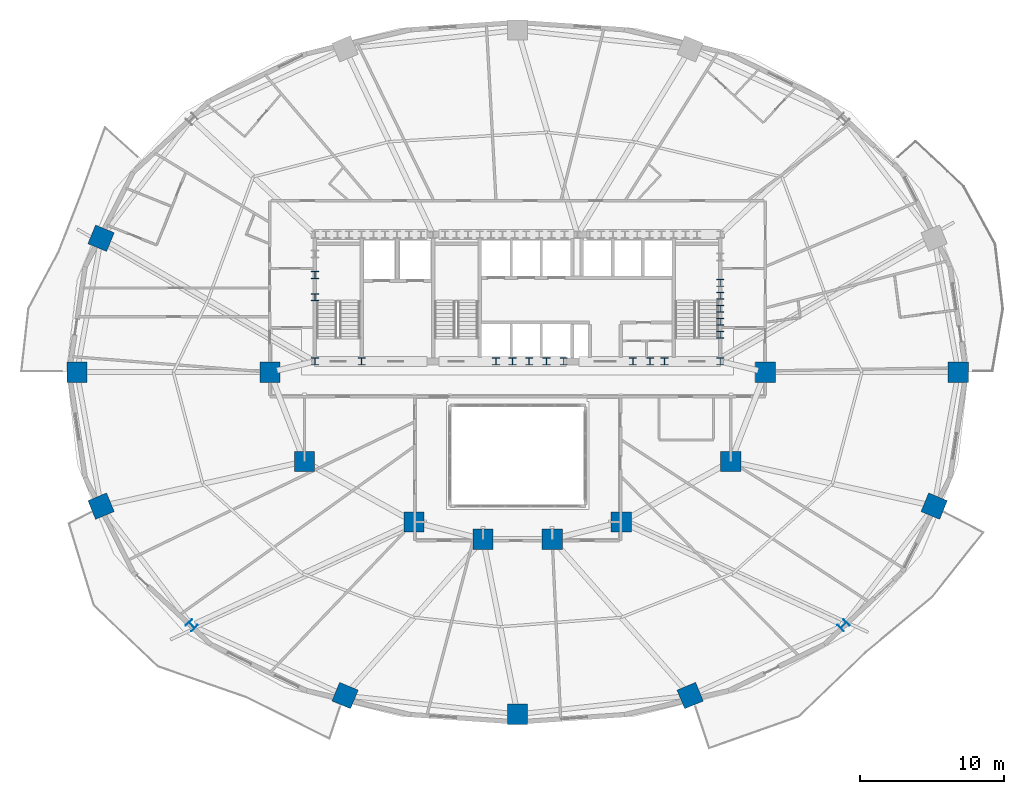
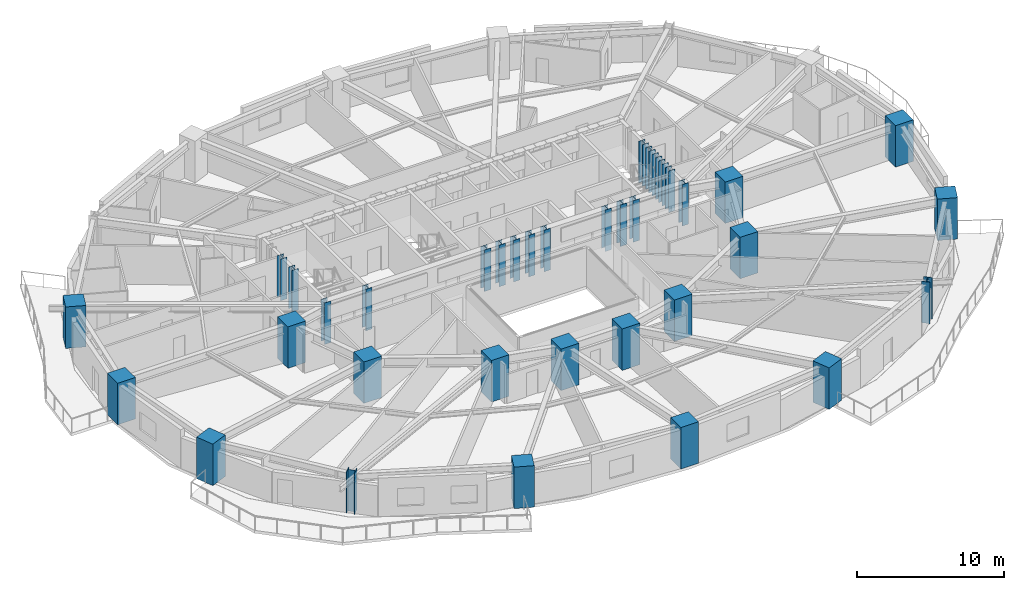
# One storey, part 1 of 17: 36 columns.
"""IFC4 building model written with IfcOpenShell, lengths in metres."""

import ifcopenshell
import ifcopenshell.guid

model = None  # the IFC model being written
_history = None  # IfcOwnerHistory: only IFC2X3 demands one
_inside = {}  # id of a spatial element -> (the spatial element, [elements in it])
_under = {}  # id of a project, library or spatial element -> (it, [spatial elements below it])
_declared = {}  # id of a project -> (the project, [libraries it declares])
_typed = {}  # id of a type object -> (the type object, [elements of that type])
_made_of = {}  # id of a material, layer set ... -> (it, [elements and type objects made of it])


def new_model(schema):
    """Start an empty IFC model of exactly this schema.

    Asked for "IFC4X3", IfcOpenShell would pick the latest addendum, in which some entities
    have other attributes; the version numbers below select the first issue.
    IFC2X3 requires an IfcOwnerHistory on every rooted entity: one is made here for all.
    """
    global model, _history
    if schema == "IFC4X3":
        model = ifcopenshell.file(schema_version=(4, 3, 0, 0))
    else:
        model = ifcopenshell.file(schema=schema)
    _inside.clear()
    _under.clear()
    _declared.clear()
    _typed.clear()
    _made_of.clear()
    _history = None
    if model.schema == "IFC2X3":
        org = make("IfcOrganization", Name="unknown")
        user = make(
            "IfcPersonAndOrganization",
            ThePerson=make("IfcPerson", FamilyName="unknown"),
            TheOrganization=org,
        )
        app = make(
            "IfcApplication",
            ApplicationDeveloper=org,
            Version="unknown",
            ApplicationFullName="unknown",
            ApplicationIdentifier="unknown",
        )
        _history = make(
            "IfcOwnerHistory",
            OwningUser=user,
            OwningApplication=app,
            ChangeAction="ADDED",
            CreationDate=0,
        )
    return model


def make(cls, **values):
    """One entity of the class cls with the attributes given. An attribute that is None is left unset."""
    return model.create_entity(
        cls, **{name: value for name, value in values.items() if value is not None}
    )


def rooted(cls, **values):
    """An entity with a GlobalId (a new one), such as an element, a storey or a relation."""
    return make(cls, GlobalId=ifcopenshell.guid.new(), OwnerHistory=_history, **values)


def si_unit(unit_type, name, prefix=None):
    """IfcSIUnit, for example si_unit("LENGTHUNIT", "METRE", prefix="MILLI")."""
    return make("IfcSIUnit", UnitType=unit_type, Prefix=prefix, Name=name)


def assignment(units):
    """IfcUnitAssignment: the units of a project."""
    return None if units is None else make("IfcUnitAssignment", Units=units)


def point(xyz):
    """IfcCartesianPoint."""
    return None if xyz is None else make("IfcCartesianPoint", Coordinates=xyz)


def direction(xyz):
    """IfcDirection."""
    return None if xyz is None else make("IfcDirection", DirectionRatios=xyz)


def frame(location, z_axis=None, x_axis=None):
    """IfcAxis2Placement3D, a coordinate frame: its origin and axes. An axis left out is left unset."""
    return make(
        "IfcAxis2Placement3D",
        Location=point(location),
        Axis=direction(z_axis),
        RefDirection=direction(x_axis),
    )


def frame_2d(location, x_axis=None):
    """IfcAxis2Placement2D, a coordinate frame in the plane: its origin and x axis."""
    return make(
        "IfcAxis2Placement2D", Location=point(location), RefDirection=direction(x_axis)
    )


def origin():
    """The frame at (0, 0, 0) with its axes left unset."""
    return frame((0.0, 0.0, 0.0))


def origin_2d():
    """The frame at (0, 0) in the plane with its x axis left unset."""
    return frame_2d((0.0, 0.0))


def place(relative_to, where):
    """IfcLocalPlacement: puts the frame where relative to a parent placement (None: the world)."""
    return make(
        "IfcLocalPlacement", PlacementRelTo=relative_to, RelativePlacement=where
    )


def context(
    kind, dimensions, precision=None, world=None, true_north=None, identifier=None
):
    """IfcGeometricRepresentationContext, for example the 3D "Model" context."""
    return make(
        "IfcGeometricRepresentationContext",
        ContextIdentifier=identifier,
        ContextType=kind,
        CoordinateSpaceDimension=dimensions,
        Precision=precision,
        WorldCoordinateSystem=world,
        TrueNorth=true_north,
    )


def subcontext(parent, identifier, kind, view, scale=None):
    """IfcGeometricRepresentationSubContext, for example "Body" below "Model"."""
    return make(
        "IfcGeometricRepresentationSubContext",
        ContextIdentifier=identifier,
        ContextType=kind,
        ParentContext=parent,
        TargetScale=scale,
        TargetView=view,
    )


def project(units=None, contexts=None):
    """IfcProject with its units and contexts."""
    return rooted(
        "IfcProject",
        Name="project",
        RepresentationContexts=contexts,
        UnitsInContext=assignment(units),
    )


def spatial(cls, under=None, at=None, **own):
    """A site, building, storey or space (cls), placed at a placement, below another one or the project."""
    s = rooted(cls, ObjectPlacement=at, **own)
    if under is not None:
        _under.setdefault(under.id(), (under, []))[1].append(s)
    return s


def profile(cls, at=None, kind="AREA", **sizes):
    """A parametric profile (cls). Its sizes go by their IFC names, for example OverallWidth=200.0."""
    return make(cls, ProfileType=kind, Position=at, **sizes)


def rectangle(**sizes):
    """IfcRectangleProfileDef."""
    return profile("IfcRectangleProfileDef", **sizes)


def i_section(**sizes):
    """IfcIShapeProfileDef."""
    return profile("IfcIShapeProfileDef", **sizes)


def extrude(swept, where, along, depth):
    """IfcExtrudedAreaSolid: the profile swept, set in the frame where, extruded along a direction by depth."""
    return make(
        "IfcExtrudedAreaSolid",
        SweptArea=swept,
        Position=where,
        ExtrudedDirection=direction(along),
        Depth=depth,
    )


def shape(context_of_items, identifier, shape_type, items):
    """IfcShapeRepresentation: the items that make up one representation, for example the "Body"."""
    return make(
        "IfcShapeRepresentation",
        ContextOfItems=context_of_items,
        RepresentationIdentifier=identifier,
        RepresentationType=shape_type,
        Items=items,
    )


def material(Name=None, Category=None):
    """IfcMaterial."""
    return make("IfcMaterial", Name=Name, Category=Category)


def material_profile(
    of_material, cross_section, Name=None, Category=None, Priority=None
):
    """IfcMaterialProfile: a cross section and its material."""
    return make(
        "IfcMaterialProfile",
        Name=Name,
        Material=of_material,
        Profile=cross_section,
        Priority=Priority,
        Category=Category,
    )


def profile_set(profiles, Name=None, composite=None):
    """IfcMaterialProfileSet."""
    return make(
        "IfcMaterialProfileSet",
        Name=Name,
        MaterialProfiles=profiles,
        CompositeProfile=composite,
    )


def made_of(thing, what):
    """Note that an element or type object is made of a material, layer set ...; save() writes the relation."""
    if what is not None:
        _made_of.setdefault(what.id(), (what, []))[1].append(thing)
    return thing


def type_object(cls, material=None, **own):
    """A type object (cls), such as IfcWallType, which elements share."""
    return made_of(rooted(cls, **own), material)


def element(
    cls,
    number,
    at=None,
    inside=None,
    cuts=None,
    type_object=None,
    material=None,
    context=None,
    identifier="Body",
    shape_type=None,
    held_by="IfcProductDefinitionShape",
    body=None,
    shapes=None,
    **own,
):
    """One element of the class cls, such as IfcWall. Its Tag is "e" and its number.

    at: its placement. inside: the storey or other place that contains it. cuts: it is an
    opening in that element (IfcRelVoidsElement). A single representation is given by context,
    identifier, shape_type and body (its items); several are given by shapes. held_by: the class
    of the entity that holds the representations. save() writes the other relations.
    """
    e = rooted(cls, Tag="e%d" % number, ObjectPlacement=at, **own)
    if body is not None:
        shapes = [shape(context, identifier, shape_type, body)]
    if shapes is not None:
        e.Representation = make(held_by, Representations=shapes)
    if inside is not None:
        _inside.setdefault(inside.id(), (inside, []))[1].append(e)
    if cuts is not None:
        rooted(
            "IfcRelVoidsElement", RelatingBuildingElement=cuts, RelatedOpeningElement=e
        )
    if type_object is not None:
        _typed.setdefault(type_object.id(), (type_object, []))[1].append(e)
    return made_of(e, material)


def aggregate(whole, parts):
    """IfcRelAggregates: a whole, such as a stair, and the parts it consists of."""
    return rooted("IfcRelAggregates", RelatingObject=whole, RelatedObjects=parts)


def save(model, path):
    """Write the relations noted so far, then the file.

    IfcRelAggregates (storeys below a building ...), IfcRelContainedInSpatialStructure (elements
    in a storey), IfcRelDefinesByType, IfcRelAssociatesMaterial and IfcRelDeclares: one each for
    every whole, place, type object, material and project.
    """
    for whole, parts in _under.values():
        aggregate(whole, parts)
    for where, things in _inside.values():
        rooted(
            "IfcRelContainedInSpatialStructure",
            RelatedElements=things,
            RelatingStructure=where,
        )
    for kind, things in _typed.values():
        rooted("IfcRelDefinesByType", RelatedObjects=things, RelatingType=kind)
    for what, things in _made_of.values():
        rooted("IfcRelAssociatesMaterial", RelatedObjects=things, RelatingMaterial=what)
    for by, libraries in _declared.values():
        rooted("IfcRelDeclares", RelatingContext=by, RelatedDefinitions=libraries)
    model.write(path)


model = new_model("IFC4")

# Units and contexts
model_context = context("Model", 3, precision=1e-05, world=origin(), true_north=direction((0.0, 1.0)))
body_context = subcontext(model_context, "Body", "Model", "MODEL_VIEW")
ifc_project = project(units=[si_unit("LENGTHUNIT", "METRE"), si_unit("AREAUNIT", "SQUARE_METRE"), si_unit("VOLUMEUNIT", "CUBIC_METRE"), si_unit("PLANEANGLEUNIT", "RADIAN"), si_unit("MASSUNIT", "GRAM", prefix="KILO")], contexts=[model_context])

# Site, building, storey
site_placement = place(None, origin())
site = spatial("IfcSite", under=ifc_project, at=site_placement, CompositionType="ELEMENT")
building_placement = place(site_placement, origin())
building = spatial("IfcBuilding", under=site, at=building_placement, Name="Haldorwick Loom Tower", CompositionType="ELEMENT")
storey_placement = place(building_placement, frame((0.0, 0.0, 37.800048828125)))
storey = spatial("IfcBuildingStorey", under=building, at=storey_placement, Name="L09", CompositionType="ELEMENT", Elevation=37.800048828125)

# Columns
ifc_material_1 = material(Name="Concrete C60 (60 MPa)", Category="concrete")
ifc_material_profile_1 = material_profile(ifc_material_1, rectangle(XDim=1.39990234375, YDim=1.39990234375, at=origin_2d()), Name="RC1400X1400", Category="concrete")
ifc_profile_set_1 = profile_set([ifc_material_profile_1], Name="Concrete C60 (60 MPa)")
column_type_1 = type_object("IfcColumnType", Name="STR-COL-MEGA1400", PredefinedType="COLUMN", material=ifc_profile_set_1)
for number, where, z_axis, x_axis, name in (
    (1, (53.199951171875, 26.0, 0.0), (0.0, 0.0, 1.0), (1.0, 0.0, 0.0), "L09 Inner Column IC-01"),
    (2, (50.800048828125, 19.800048828125, 0.0), (0.0, 0.0, 1.0), (1.0, 0.0, 0.0), "L09 Inner Column IC-02"),
    (3, (43.199951171875, 15.60009765625, 0.0), (0.0, 0.0, 1.0), (1.0, 0.0, 0.0), "L09 Inner Column IC-03"),
    (4, (38.39990234375, 14.39990234375, 0.0), (0.0, 0.0, 1.0), (1.0, 0.0, 0.0), "L09 Inner Column IC-04"),
    (5, (33.60009765625, 14.39990234375, 0.0), (0.0, 0.0, 1.0), (1.0, 0.0, 0.0), "L09 Inner Column IC-05"),
    (6, (28.800048828125, 15.60009765625, 0.0), (0.0, 0.0, 1.0), (1.0, 0.0, 0.0), "L09 Inner Column IC-06"),
    (7, (21.199951171875, 19.800048828125, 0.0), (0.0, 0.0, 1.0), (1.0, 0.0, 0.0), "L09 Inner Column IC-07"),
    (8, (18.800048828125, 26.0, 0.0), (0.0, 0.0, 1.0), (1.0, 0.0, 0.0), "L09 Inner Column IC-08"),
):
    element("IfcColumn", number, at=place(storey_placement, frame(where, z_axis=z_axis, x_axis=x_axis)), inside=storey, type_object=column_type_1, Name=name, PredefinedType="COLUMN", context=body_context, shape_type="SweptSolid", body=[
        extrude(rectangle(XDim=1.39990234375, YDim=1.39990234375, at=origin_2d()), origin(), (0.0, 0.0, 1.0), 3.449951171875),
    ])
ifc_material_profile_2 = material_profile(ifc_material_1, rectangle(XDim=1.39990234375, YDim=1.39990234375, at=origin_2d()), Name="RC1400X1400", Category="concrete")
ifc_profile_set_2 = profile_set([ifc_material_profile_2], Name="Concrete C60 (60 MPa)")
column_type_2 = type_object("IfcColumnType", Name="STR-COL-RC1400", PredefinedType="PILASTER", material=ifc_profile_set_2)
for number, where, z_axis, x_axis, name in (
    (9, (66.595947265625, 26.0, 0.0), (0.0, 0.0, 1.0), (1.0, 0.0, 0.0), "L09 Perimeter Pier Column P01"),
    (10, (7.08251953125, 35.29931640625, 0.0), (0.0, 0.0, 1.0), (-0.923879532511, 0.382683432365, 0.0), "L09 Perimeter Pier Column P08"),
    (11, (5.404052734375, 26.0, 0.0), (0.0, 0.0, 1.0), (-1.0, 0.0, 0.0), "L09 Perimeter Pier Column P09"),
    (12, (7.08251953125, 16.70068359375, 0.0), (0.0, 0.0, 1.0), (-0.923879532511, -0.382683432365, 0.0), "L09 Perimeter Pier Column P10"),
    (13, (24.02197265625, 3.5498046875, 0.0), (0.0, 0.0, 1.0), (-0.382683432365, -0.923879532511, 0.0), "L09 Perimeter Pier Column P12"),
    (14, (36.0, 2.25, 0.0), (0.0, 0.0, 1.0), (0.0, -1.0, 0.0), "L09 Perimeter Pier Column P13"),
    (15, (47.97802734375, 3.5498046875, 0.0), (0.0, 0.0, 1.0), (0.382683432365, -0.923879532511, 0.0), "L09 Perimeter Pier Column P14"),
    (16, (64.91748046875, 16.70068359375, 0.0), (0.0, 0.0, 1.0), (0.923879532511, -0.382683432365, 0.0), "L09 Perimeter Pier Column P16"),
):
    element("IfcColumn", number, at=place(storey_placement, frame(where, z_axis=z_axis, x_axis=x_axis)), inside=storey, type_object=column_type_2, Name=name, PredefinedType="PILASTER", context=body_context, shape_type="SweptSolid", body=[
        extrude(rectangle(XDim=1.39990234375, YDim=1.39990234375, at=origin_2d()), origin(), (0.0, 0.0, 1.0), 3.449951171875),
    ])
ifc_material_2 = material(Name="Steel CSA G40.21 350WT", Category="steel")
ifc_material_profile_3 = material_profile(ifc_material_2, i_section(OverallWidth=0.5, OverallDepth=0.5, WebThickness=0.02197265625, FlangeThickness=0.031982421875, at=origin_2d()), Name="WWF500X500", Category="steel")
ifc_profile_set_3 = profile_set([ifc_material_profile_3], Name="Steel CSA G40.21 350WT")
column_type_3 = type_object("IfcColumnType", Name="STR-COL-WWF500", PredefinedType="COLUMN", material=ifc_profile_set_3)
for number, where, z_axis, x_axis, name in (
    (17, (21.929931640625, 26.75, 0.0), (0.0, 0.0, 1.0), (1.0, 0.0, 0.0), "L09 Core Pilaster CB-19"),
    (18, (25.169921875, 26.75, 0.0), (0.0, 0.0, 1.0), (1.0, 0.0, 0.0), "L09 Core Pilaster CB-20"),
    (19, (34.5, 26.75, 0.0), (0.0, 0.0, 1.0), (1.0, 0.0, 0.0), "L09 Core Pilaster CB-21"),
    (20, (36.800048828125, 26.75, 0.0), (0.0, 0.0, 1.0), (1.0, 0.0, 0.0), "L09 Core Pilaster CB-22"),
    (21, (39.199951171875, 26.75, 0.0), (0.0, 0.0, 1.0), (1.0, 0.0, 0.0), "L09 Core Pilaster CB-23"),
    (22, (45.199951171875, 26.75, 0.0), (0.0, 0.0, 1.0), (1.0, 0.0, 0.0), "L09 Core Pilaster CB-24"),
    (23, (50.070068359375, 26.75, 0.0), (0.0, 0.0, 1.0), (1.0, 0.0, 0.0), "L09 Core Pilaster CB-25"),
    (24, (21.929931640625, 31.199951171875, 0.0), (0.0, 0.0, 1.0), (1.0, 0.0, 0.0), "L09 Core Pilaster CB-26"),
    (25, (21.929931640625, 32.75, 0.0), (0.0, 0.0, 1.0), (1.0, 0.0, 0.0), "L09 Core Pilaster CB-27"),
    (26, (50.070068359375, 28.60009765625, 0.0), (0.0, 0.0, 1.0), (1.0, 0.0, 0.0), "L09 Core Pilaster CB-29"),
    (27, (50.070068359375, 30.39990234375, 0.0), (0.0, 0.0, 1.0), (1.0, 0.0, 0.0), "L09 Core Pilaster CB-30"),
    (28, (50.070068359375, 32.199951171875, 0.0), (0.0, 0.0, 1.0), (1.0, 0.0, 0.0), "L09 Core Pilaster CB-31"),
    (29, (50.070068359375, 29.5, 0.0), (0.0, 0.0, 1.0), (1.0, 0.0, 0.0), "L09 Core Pilaster CB-49"),
    (30, (50.070068359375, 31.300048828125, 0.0), (0.0, 0.0, 1.0), (1.0, 0.0, 0.0), "L09 Core Pilaster CB-50"),
    (31, (35.64990234375, 26.75, 0.0), (0.0, 0.0, 1.0), (1.0, 0.0, 0.0), "L09 Core Pilaster CB-51"),
    (32, (38.0, 26.75, 0.0), (0.0, 0.0, 1.0), (1.0, 0.0, 0.0), "L09 Core Pilaster CB-52"),
    (33, (44.0, 26.75, 0.0), (0.0, 0.0, 1.0), (1.0, 0.0, 0.0), "L09 Core Pilaster CB-53"),
    (34, (46.199951171875, 26.75, 0.0), (0.0, 0.0, 1.0), (1.0, 0.0, 0.0), "L09 Core Pilaster CB-54"),
):
    element("IfcColumn", number, at=place(storey_placement, frame(where, z_axis=z_axis, x_axis=x_axis)), inside=storey, type_object=column_type_3, Name=name, PredefinedType="COLUMN", context=body_context, shape_type="SweptSolid", body=[
        extrude(i_section(OverallWidth=0.5, OverallDepth=0.5, WebThickness=0.02197265625, FlangeThickness=0.031982421875, at=origin_2d()), origin(), (0.0, 0.0, 1.0), 3.449951171875),
    ])
ifc_material_profile_4 = material_profile(ifc_material_2, i_section(OverallWidth=0.60009765625, OverallDepth=0.60009765625, WebThickness=0.02490234375, FlangeThickness=0.035888671875, at=origin_2d()), Name="WWF600X600", Category="steel")
ifc_profile_set_4 = profile_set([ifc_material_profile_4], Name="Steel CSA G40.21 350WT")
column_type_4 = type_object("IfcColumnType", Name="STR-COL-WWF600", PredefinedType="COLUMN", material=ifc_profile_set_4)
for number, where, z_axis, x_axis, name in (
    (35, (13.369873046875, 8.428466796875, 0.0), (0.0, 0.0, 1.0), (-0.707106781187, -0.707106781187, 0.0), "L09 Perimeter Pier Column P11"),
    (36, (58.630126953125, 8.428466796875, 0.0), (0.0, 0.0, 1.0), (0.707106781187, -0.707106781187, 0.0), "L09 Perimeter Pier Column P15"),
):
    element("IfcColumn", number, at=place(storey_placement, frame(where, z_axis=z_axis, x_axis=x_axis)), inside=storey, type_object=column_type_4, Name=name, PredefinedType="COLUMN", context=body_context, shape_type="SweptSolid", body=[
        extrude(i_section(OverallWidth=0.60009765625, OverallDepth=0.60009765625, WebThickness=0.02490234375, FlangeThickness=0.035888671875, at=origin_2d()), origin(), (0.0, 0.0, 1.0), 3.449951171875),
    ])

save(model, "model.ifc")
